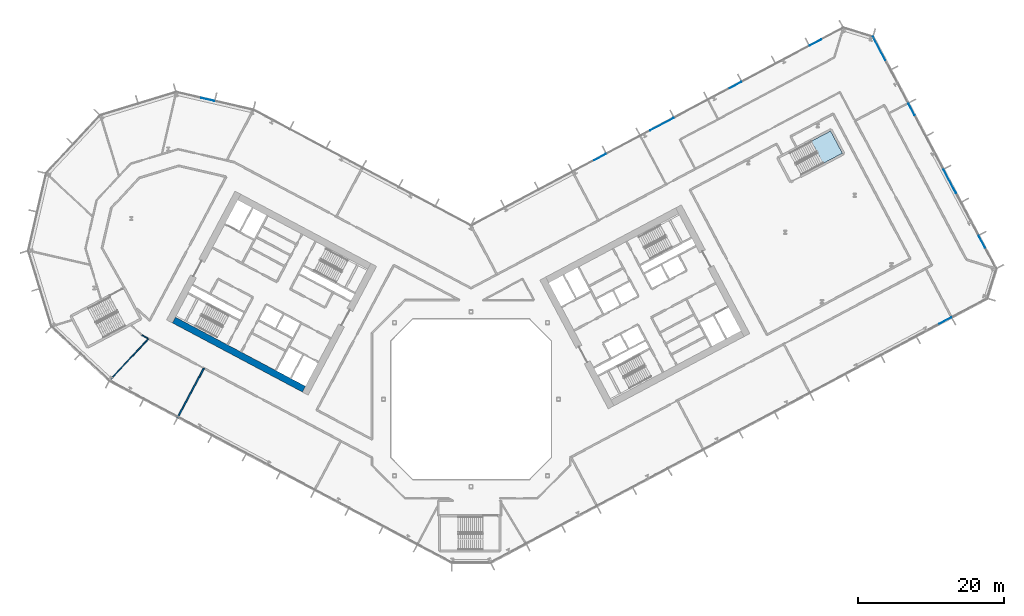
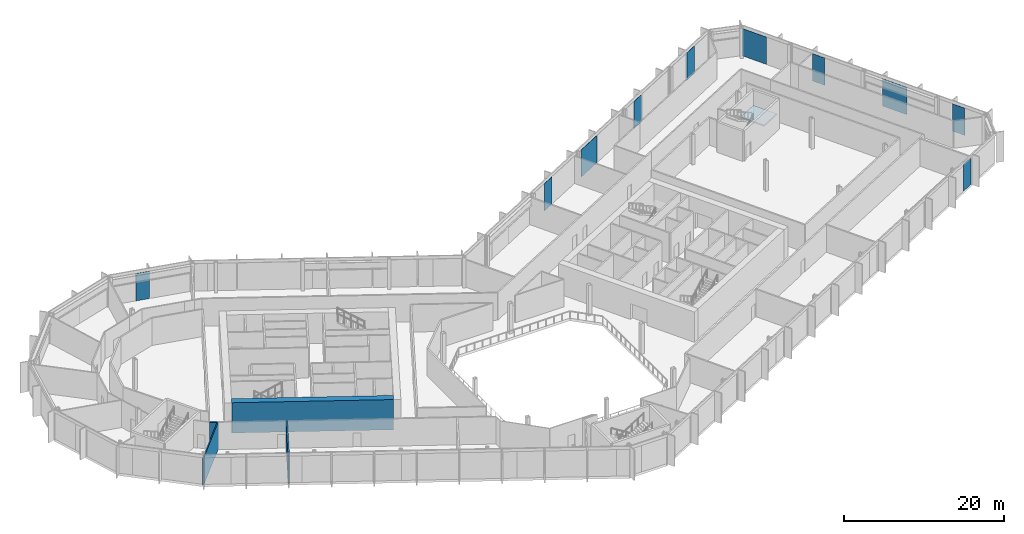
# One storey, part 13 of 31: 10 plates, 4 walls, 1 slab, 5 elements without a shape of their own.
"""IFC4 building model written with IfcOpenShell, lengths in metres."""

from ifc_helpers import new_model, si_unit, direction, frame, frame_2d, origin, origin_2d, place, context, subcontext, project, spatial, polyline, rectangle, outline, extrude, material, layer, layer_set, type_object, element, aggregate, save


model = new_model("IFC4")

# Units and contexts
model_context = context("Model", 3, precision=1e-05, world=origin(), true_north=direction((0.0, 1.0)))
body_context = subcontext(model_context, "Body", "Model", "MODEL_VIEW")
ifc_project = project(units=[si_unit("LENGTHUNIT", "METRE"), si_unit("AREAUNIT", "SQUARE_METRE"), si_unit("VOLUMEUNIT", "CUBIC_METRE"), si_unit("PLANEANGLEUNIT", "RADIAN"), si_unit("MASSUNIT", "GRAM", prefix="KILO")], contexts=[model_context])

# Site, building, storey
site_placement = place(None, origin())
site = spatial("IfcSite", under=ifc_project, at=site_placement, CompositionType="ELEMENT")
building_placement = place(site_placement, origin())
building = spatial("IfcBuilding", under=site, at=building_placement, Name="Cormorant Relay Tower", CompositionType="ELEMENT")
storey_placement = place(building_placement, frame((0.0, 0.0, 107.60009765625)))
storey = spatial("IfcBuildingStorey", under=building, at=storey_placement, Name="L21", CompositionType="ELEMENT", Elevation=107.60009765625)

# Curtain wall, plate
ifc_material_1 = material(Name="Aluminium 6063-T6 anodised bronze", Category="aluminium")
ifc_layer_1 = layer(ifc_material_1, 0.199951171875)
ifc_layer_set_1 = layer_set([ifc_layer_1], Name="CW1 unitised bronze curtain wall with vertical fins")
curtain_wall_type = type_object("IfcCurtainWallType", Name="CW1 unitised bronze curtain wall with vertical fins", PredefinedType="NOTDEFINED", material=ifc_layer_set_1)
curtain_wall_1_placement = place(storey_placement, origin())
curtain_wall_1 = element("IfcCurtainWall", 1, at=curtain_wall_1_placement, inside=storey, type_object=curtain_wall_type, Name="CW1 curtain wall 2", PredefinedType="NOTDEFINED")
ifc_material_2 = material(Name="Tinted laminated glass", Category="glass")
ifc_layer_2 = layer(ifc_material_2, 0.0400390625)
ifc_layer_set_2 = layer_set([ifc_layer_2], Name="CW1 tinted vision panel 1800 module")
plate_type_1 = type_object("IfcPlateType", Name="CW1 tinted vision panel 1800 module", PredefinedType="CURTAIN_PANEL", material=ifc_layer_set_2)
plate_1_placement = place(storey_placement, frame((65.064208984375, 10.78857421875, 0.0), z_axis=(0.0, 0.0, 1.0), x_axis=(0.882947592859, 0.469471562786, 0.0)))
plate_1 = element("IfcPlate", 2, at=plate_1_placement, type_object=plate_type_1, Name="CW1 panel V12", PredefinedType="CURTAIN_PANEL", context=body_context, shape_type="SweptSolid", body=[
    extrude(rectangle(XDim=1.800048828125, YDim=0.0400390625, at=origin_2d()), origin(), (0.0, 0.0, 1.0), 4.14990234375),
])
aggregate(curtain_wall_1, [plate_1])

# Curtain wall, plates
curtain_wall_2_placement = place(storey_placement, origin())
curtain_wall_2 = element("IfcCurtainWall", 3, at=curtain_wall_2_placement, inside=storey, type_object=curtain_wall_type, Name="CW1 curtain wall 4", PredefinedType="NOTDEFINED")
plate_2_placement = place(storey_placement, frame((70.083740234375, 21.598388671875, 0.0), z_axis=(0.0, 0.0, 1.0), x_axis=(-0.469471562786, 0.882947592859, 0.0)))
plate_2 = element("IfcPlate", 4, at=plate_2_placement, type_object=plate_type_1, Name="CW1 panel V01", PredefinedType="CURTAIN_PANEL", context=body_context, shape_type="SweptSolid", body=[
    extrude(rectangle(XDim=1.800048828125, YDim=0.0400390625, at=origin_2d()), origin(), (0.0, 0.0, 1.0), 4.14990234375),
])
plate_3_placement = place(storey_placement, frame((60.426025390625, 39.76171875, 0.0), z_axis=(0.0, 0.0, 1.0), x_axis=(-0.469471562786, 0.882947592859, 0.0)))
plate_3 = element("IfcPlate", 5, at=plate_3_placement, type_object=plate_type_1, Name="CW1 panel V05", PredefinedType="CURTAIN_PANEL", context=body_context, shape_type="SweptSolid", body=[
    extrude(rectangle(XDim=1.800048828125, YDim=0.0400390625, at=origin_2d()), origin(), (0.0, 0.0, 1.0), 4.14990234375),
])

curtain_wall_3_placement = place(storey_placement, origin())
curtain_wall_3 = element("IfcCurtainWall", 6, at=curtain_wall_3_placement, inside=storey, type_object=curtain_wall_type, Name="CW1 curtain wall 6", PredefinedType="NOTDEFINED")
plate_4_placement = place(storey_placement, frame((47.273681640625, 48.9423828125, 0.0), z_axis=(0.0, 0.0, 1.0), x_axis=(-0.882947592859, -0.469471562786, 0.0)))
plate_4 = element("IfcPlate", 7, at=plate_4_placement, type_object=plate_type_1, Name="CW1 panel V01", PredefinedType="CURTAIN_PANEL", context=body_context, shape_type="SweptSolid", body=[
    extrude(rectangle(XDim=1.800048828125, YDim=0.0400390625, at=origin_2d()), origin(), (0.0, 0.0, 1.0), 4.14990234375),
])
plate_5_placement = place(storey_placement, frame((36.267578125, 43.09033203125, 0.0), z_axis=(0.0, 0.0, 1.0), x_axis=(-0.882947592859, -0.469471562786, 0.0)))
plate_5 = element("IfcPlate", 8, at=plate_5_placement, type_object=plate_type_1, Name="CW1 panel V03", PredefinedType="CURTAIN_PANEL", context=body_context, shape_type="SweptSolid", body=[
    extrude(rectangle(XDim=1.800048828125, YDim=0.0400390625, at=origin_2d()), origin(), (0.0, 0.0, 1.0), 4.14990234375),
])
plate_6_placement = place(storey_placement, frame((17.698486328125, 33.21728515625, 0.0), z_axis=(0.0, 0.0, 1.0), x_axis=(-0.882947592859, -0.469471562786, 0.0)))
plate_6 = element("IfcPlate", 9, at=plate_6_placement, type_object=plate_type_1, Name="CW1 panel V07", PredefinedType="CURTAIN_PANEL", context=body_context, shape_type="SweptSolid", body=[
    extrude(rectangle(XDim=1.800048828125, YDim=0.0400390625, at=origin_2d()), origin(), (0.0, 0.0, 1.0), 4.14990234375),
])

# Curtain wall, plate
curtain_wall_4_placement = place(storey_placement, origin())
curtain_wall_4 = element("IfcCurtainWall", 10, at=curtain_wall_4_placement, inside=storey, type_object=curtain_wall_type, Name="CW1 curtain wall 8", PredefinedType="NOTDEFINED")
plate_7_placement = place(storey_placement, frame((-36.114990234375, 41.129638671875, 0.0), z_axis=(0.0, 0.0, 1.0), x_axis=(-0.974370064785, 0.224951054344, 0.0)))
plate_7 = element("IfcPlate", 11, at=plate_7_placement, type_object=plate_type_1, Name="CW1 panel V01", PredefinedType="CURTAIN_PANEL", context=body_context, shape_type="SweptSolid", body=[
    extrude(rectangle(XDim=1.800048828125, YDim=0.0400390625, at=origin_2d()), origin(), (0.0, 0.0, 1.0), 4.14990234375),
])
aggregate(curtain_wall_4, [plate_7])

# Plate
ifc_material_3 = material(Name="Tinted laminated glass", Category="glass")
ifc_layer_3 = layer(ifc_material_3, 0.0400390625)
ifc_layer_set_3 = layer_set([ifc_layer_3], Name="CW1 tinted vision panel 3600 module")
plate_type_2 = type_object("IfcPlateType", Name="CW1 tinted vision panel 3600 module", PredefinedType="CURTAIN_PANEL", material=ifc_layer_set_3)
plate_8_placement = place(storey_placement, frame((65.677490234375, 29.885498046875, 0.0), z_axis=(0.0, 0.0, 1.0), x_axis=(-0.469471562786, 0.882947592859, 0.0)))
plate_8 = element("IfcPlate", 12, at=plate_8_placement, type_object=plate_type_2, Name="CW1 panel V03", PredefinedType="CURTAIN_PANEL", context=body_context, shape_type="SweptSolid", body=[
    extrude(rectangle(XDim=3.60009765625, YDim=0.0400390625, at=origin_2d()), origin(), (0.0, 0.0, 1.0), 4.14990234375),
])

plate_9_placement = place(storey_placement, frame((55.984375, 48.114990234375, 0.0), z_axis=(0.0, 0.0, 1.0), x_axis=(-0.469471562786, 0.882947592859, 0.0)))
plate_9 = element("IfcPlate", 13, at=plate_9_placement, type_object=plate_type_2, Name="CW1 panel V07", PredefinedType="CURTAIN_PANEL", context=body_context, shape_type="SweptSolid", body=[
    extrude(rectangle(XDim=3.60009765625, YDim=0.0400390625, at=origin_2d()), origin(), (0.0, 0.0, 1.0), 4.14990234375),
])

aggregate(curtain_wall_2, [plate_2, plate_8, plate_3, plate_9])

plate_10_placement = place(storey_placement, frame((26.1884765625, 37.731201171875, 0.0), z_axis=(0.0, 0.0, 1.0), x_axis=(-0.882947592859, -0.469471562786, 0.0)))
plate_10 = element("IfcPlate", 14, at=plate_10_placement, type_object=plate_type_2, Name="CW1 panel V05", PredefinedType="CURTAIN_PANEL", context=body_context, shape_type="SweptSolid", body=[
    extrude(rectangle(XDim=3.60009765625, YDim=0.0400390625, at=origin_2d()), origin(), (0.0, 0.0, 1.0), 4.14990234375),
])

aggregate(curtain_wall_3, [plate_4, plate_5, plate_10, plate_6])

# Stair, slab
ifc_material_4 = material(Name="Concrete 40 MPa", Category="concrete")
stair_type = type_object("IfcStairType", Name="Exit stair 1500", PredefinedType="HALF_TURN_STAIR", material=ifc_material_4)
stair_placement = place(storey_placement, origin())
stair = element("IfcStair", 15, at=stair_placement, inside=storey, type_object=stair_type, Name="L21 Stair", PredefinedType="HALF_TURN_STAIR")
ifc_material_5 = material(Name="Concrete 40 MPa", Category="concrete")
ifc_layer_4 = layer(ifc_material_5, 0.199951171875)
ifc_layer_set_4 = layer_set([ifc_layer_4], Name="Exit stair landing 200")
slab_type = type_object("IfcSlabType", Name="Exit stair landing 200", PredefinedType="LANDING", material=ifc_layer_set_4)
slab_placement = place(storey_placement, frame((0.0, 0.0, 2.099853515625)))
slab = element("IfcSlab", 16, at=slab_placement, type_object=slab_type, Name="RB1 landing 1", PredefinedType="LANDING", context=body_context, shape_type="SweptSolid", body=[
    extrude(outline(polyline([(48.301513671875, 32.35107421875), (50.941650390625, 33.7548828125), (49.322021484375, 36.801025390625), (46.681884765625, 35.397216796875), (48.301513671875, 32.35107421875)])), origin(), (0.0, 0.0, 1.0), 0.199951171875),
])
aggregate(stair, [slab])

# Walls
ifc_material_6 = material(Name="Concrete 70 MPa", Category="concrete")
ifc_layer_5 = layer(ifc_material_6, 0.89990234375)
ifc_layer_set_5 = layer_set([ifc_layer_5], Name="Core wall 900")
wall_type_1 = type_object("IfcWallType", Name="Core wall 900", PredefinedType="SHEAR", material=ifc_layer_set_5)
wall_1_placement = place(storey_placement, frame((-22.93701171875, 1.3798828125, 0.0), z_axis=(0.0, 0.0, 1.0), x_axis=(-0.88295276571, 0.46946183394, 0.0)))
element("IfcWall", 17, at=wall_1_placement, inside=storey, type_object=wall_type_1, Name="L21 core A wall", PredefinedType="SHEAR", context=body_context, shape_type="SweptSolid", body=[
    extrude(rectangle(XDim=20.199951171875, YDim=0.89990234375, at=frame_2d((10.10009765625, 0.0))), origin(), (0.0, 0.0, 1.0), 4.599853515625),
])
ifc_material_7 = material(Name="Fire-rated gypsum board partition")
ifc_layer_6 = layer(ifc_material_7, 0.199951171875)
ifc_layer_set_6 = layer_set([ifc_layer_6], Name="Fire-rated gypsum partition 200")
wall_type_2 = type_object("IfcWallType", Name="Fire-rated gypsum partition 200", PredefinedType="PARTITIONING", material=ifc_layer_set_6)
wall_2_placement = place(storey_placement, frame((-36.657958984375, 4.259033203125, 0.0), z_axis=(0.0, 0.0, 1.0), x_axis=(-0.469538267285, -0.882912122215, 0.0)))
element("IfcWall", 18, at=wall_2_placement, inside=storey, type_object=wall_type_2, Name="wall/L21/part/11", PredefinedType="PARTITIONING", context=body_context, shape_type="SweptSolid", body=[
    extrude(rectangle(XDim=7.75048828125, YDim=0.199951171875, at=frame_2d((3.875244140625, 0.0))), origin(), (0.0, 0.0, 1.0), 4.14990234375),
])
ifc_material_8 = material(Name="Gypsum board partition")
ifc_layer_7 = layer(ifc_material_8, 0.14990234375)
ifc_layer_set_7 = layer_set([ifc_layer_7], Name="Gypsum board partition 150")
wall_type_3 = type_object("IfcWallType", Name="Gypsum board partition 150", PredefinedType="PARTITIONING", material=ifc_layer_set_7)
wall_3_placement = place(storey_placement, frame((-44.260986328125, 8.301025390625, 0.0), z_axis=(0.0, 0.0, 1.0), x_axis=(-0.681998358511, -0.731353703066, 0.0)))
element("IfcWall", 19, at=wall_3_placement, inside=storey, type_object=wall_type_3, Name="wall/L21/part/10", PredefinedType="PARTITIONING", context=body_context, shape_type="SweptSolid", body=[
    extrude(rectangle(XDim=8.0234375, YDim=0.14990234375, at=frame_2d((4.01171875, 0.0))), origin(), (0.0, 0.0, 1.0), 4.14990234375),
])
wall_4_placement = place(storey_placement, frame((-44.322021484375, 8.3330078125, 0.0), z_axis=(0.0, 0.0, 1.0), x_axis=(-0.882683770752, 0.46996740403, 0.0)))
element("IfcWall", 20, at=wall_4_placement, inside=storey, type_object=wall_type_3, Name="wall/L21/part/21", PredefinedType="PARTITIONING", context=body_context, shape_type="SweptSolid", body=[
    extrude(rectangle(XDim=0.95947265625, YDim=0.14990234375, at=frame_2d((0.479736328125, 0.0))), origin(), (0.0, 0.0, 1.0), 4.14990234375),
])

save(model, "model.ifc")
